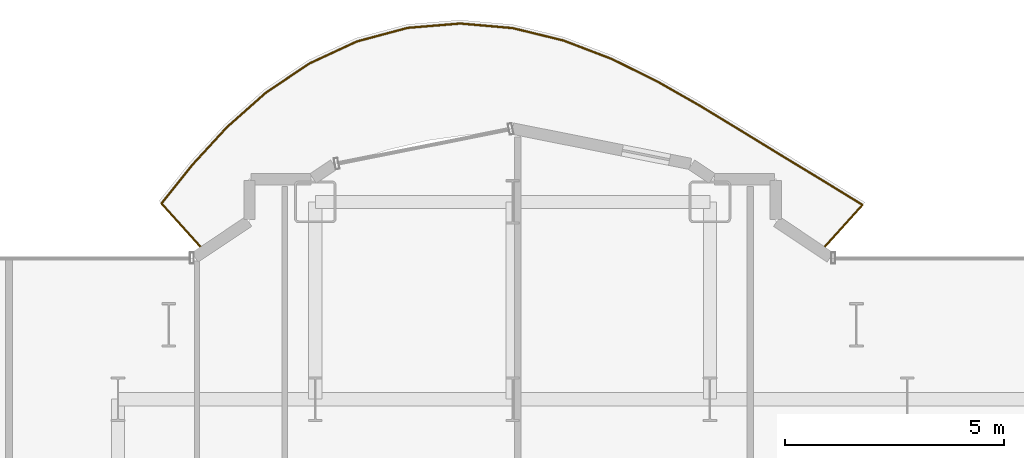
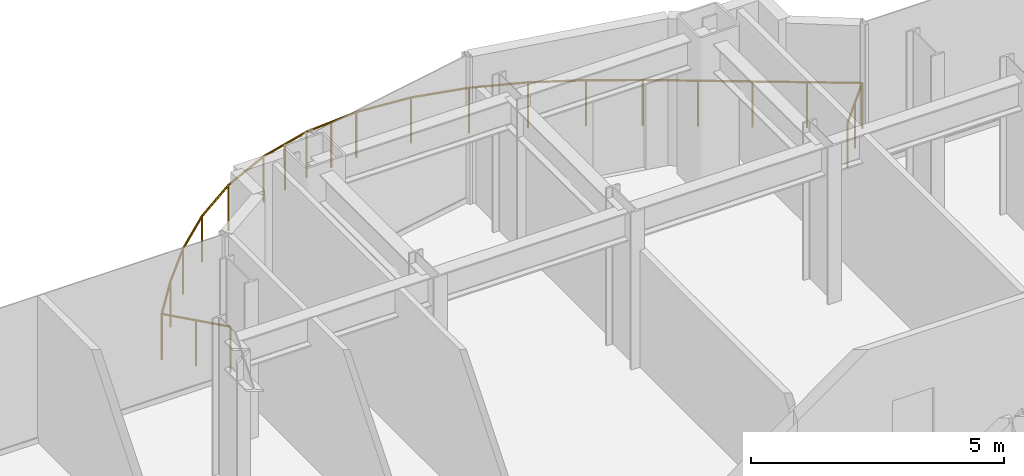
# One storey, part 28 of 28: 1 railing.
"""IFC4 building model written with IfcOpenShell, lengths in metres."""

from ifc_helpers import new_model, si_unit, direction, frame, origin, origin_2d, place, context, subcontext, project, spatial, circle, extrude, material, type_object, element, save


model = new_model("IFC4")

# Units and contexts
model_context = context("Model", 3, precision=1e-05, world=origin(), true_north=direction((0.0, 1.0)))
body_context = subcontext(model_context, "Body", "Model", "MODEL_VIEW")
ifc_project = project(units=[si_unit("LENGTHUNIT", "METRE"), si_unit("AREAUNIT", "SQUARE_METRE"), si_unit("VOLUMEUNIT", "CUBIC_METRE"), si_unit("PLANEANGLEUNIT", "RADIAN"), si_unit("MASSUNIT", "GRAM", prefix="KILO")], contexts=[model_context])

# Site, building, storey
site_placement = place(None, origin())
site = spatial("IfcSite", under=ifc_project, at=site_placement, CompositionType="ELEMENT")
building_placement = place(site_placement, origin())
building = spatial("IfcBuilding", under=site, at=building_placement, Name="Nefas-Gora Pilgrimage Tower", CompositionType="ELEMENT")
storey_placement = place(building_placement, frame((0.0, 0.0, 102.199951171875)))
storey = spatial("IfcBuildingStorey", under=building, at=storey_placement, Name="L24", CompositionType="ELEMENT", Elevation=102.199951171875)

# Railing
ifc_material = material(Name="Laminated safety glass and stainless steel", Category="steel")
railing_type = type_object("IfcRailingType", Name="RLG-BAL-1100", PredefinedType="BALUSTRADE", material=ifc_material)
railing_placement = place(storey_placement, frame((4.802490234375, 21.402587890625, 0.0)))
element("IfcRailing", 1, at=railing_placement, inside=storey, type_object=railing_type, Name="L24 Wave Balcony Balustrade N1", PredefinedType="BALUSTRADE", context=body_context, shape_type="SweptSolid", body=[
    extrude(circle(Radius=0.02392578125, at=origin_2d()), frame((0.0, 0.0, 1.09619140625), z_axis=(0.669217868333, 0.743066245165, 0.0), x_axis=(-0.743066245165, 0.669217868333, 0.0)), (0.0, 0.0, 1.0), 1.38525390625),
    extrude(circle(Radius=0.02392578125, at=origin_2d()), frame((0.927001953125, 1.029296875, 1.09619140625), z_axis=(-0.852658885571, 0.522468013238, 0.0), x_axis=(-0.522468013238, -0.852658885571, 0.0)), (0.0, 0.0, 1.0), 1.095703125),
    extrude(circle(Radius=0.02392578125, at=origin_2d()), frame((-0.00732421875, 1.601806640625, 1.09619140625), z_axis=(-0.855124780813, 0.518422230657, 0.0), x_axis=(-0.518422230657, -0.855124780813, 0.0)), (0.0, 0.0, 1.0), 1.077392578125),
    extrude(circle(Radius=0.02392578125, at=origin_2d()), frame((-0.9287109375, 2.160400390625, 1.09619140625), z_axis=(-0.852777131159, 0.522274989418, 0.0), x_axis=(-0.522274989418, -0.852777131159, 0.0)), (0.0, 0.0, 1.0), 1.076904296875),
    extrude(circle(Radius=0.02392578125, at=origin_2d()), frame((-1.84716796875, 2.722900390625, 1.09619140625), z_axis=(-0.854684994475, 0.519146954358, 0.0), x_axis=(-0.519146954358, -0.854684994475, 0.0)), (0.0, 0.0, 1.0), 1.09423828125),
    extrude(circle(Radius=0.02392578125, at=origin_2d()), frame((-2.782470703125, 3.291015625, 1.09619140625), z_axis=(-0.868857666147, 0.495061971856, 0.0), x_axis=(-0.495061971856, -0.868857666147, 0.0)), (0.0, 0.0, 1.0), 1.123291015625),
    extrude(circle(Radius=0.02392578125, at=origin_2d()), frame((-3.758544921875, 3.84716796875, 1.09619140625), z_axis=(-0.896659173932, 0.442721499142, 0.0), x_axis=(-0.442721499142, -0.896659173932, 0.0)), (0.0, 0.0, 1.0), 1.153564453125),
    extrude(circle(Radius=0.02392578125, at=origin_2d()), frame((-4.79296875, 4.35791015625, 1.09619140625), z_axis=(-0.934122957215, 0.356951398377, 0.0), x_axis=(-0.356951398377, -0.934122957215, 0.0)), (0.0, 0.0, 1.0), 1.178466796875),
    extrude(circle(Radius=0.02392578125, at=origin_2d()), frame((-5.893798828125, 4.778564453125, 1.09619140625), z_axis=(-0.97145249085, 0.237234183922, 0.0), x_axis=(-0.237234183922, -0.97145249085, 0.0)), (0.0, 0.0, 1.0), 1.192626953125),
    extrude(circle(Radius=0.02392578125, at=origin_2d()), frame((-7.052490234375, 5.0615234375, 1.09619140625), z_axis=(-0.99619460159, 0.087156845765, 0.0), x_axis=(-0.087156845765, -0.99619460159, 0.0)), (0.0, 0.0, 1.0), 1.198974609375),
    extrude(circle(Radius=0.02392578125, at=origin_2d()), frame((-8.246826171875, 5.166015625, 1.09619140625), z_axis=(-0.996586307441, -0.082557445587, 0.0), x_axis=(0.082557445587, -0.996586307441, 0.0)), (0.0, 0.0, 1.0), 1.20068359375),
    extrude(circle(Radius=0.02392578125, at=origin_2d()), frame((-9.443359375, 5.06689453125, 1.09619140625), z_axis=(-0.966180913081, -0.257865164763, 0.0), x_axis=(0.257865164763, -0.966180913081, 0.0)), (0.0, 0.0, 1.0), 1.200439453125),
    extrude(circle(Radius=0.02392578125, at=origin_2d()), frame((-10.603271484375, 4.75732421875, 1.09619140625), z_axis=(-0.907111664378, -0.420890043063, 0.0), x_axis=(0.420890043063, -0.907111664378, 0.0)), (0.0, 0.0, 1.0), 1.199462890625),
    extrude(circle(Radius=0.02392578125, at=origin_2d()), frame((-11.69140625, 4.25244140625, 1.09619140625), z_axis=(-0.829780590571, -0.558089752201, 0.0), x_axis=(0.558089752201, -0.829780590571, 0.0)), (0.0, 0.0, 1.0), 1.195068359375),
    extrude(circle(Radius=0.02392578125, at=origin_2d()), frame((-12.68310546875, 3.58544921875, 1.09619140625), z_axis=(-0.748330645695, -0.663325896308, 0.0), x_axis=(0.663325896308, -0.748330645695, 0.0)), (0.0, 0.0, 1.0), 1.183349609375),
    extrude(circle(Radius=0.02392578125, at=origin_2d()), frame((-13.568603515625, 2.800537109375, 1.09619140625), z_axis=(-0.676400344051, -0.736534163883, 0.0), x_axis=(0.736534163883, -0.676400344051, 0.0)), (0.0, 0.0, 1.0), 1.1611328125),
    extrude(circle(Radius=0.02392578125, at=origin_2d()), frame((-14.35400390625, 1.9453125, 1.09619140625), z_axis=(-0.624326656169, -0.781163380092, 0.0), x_axis=(0.781163380092, -0.624326656169, 0.0)), (0.0, 0.0, 1.0), 1.131591796875),
    extrude(circle(Radius=0.02392578125, at=origin_2d()), frame((-15.060546875, 1.061279296875, 1.09619140625), z_axis=(0.669125283262, -0.743149618381, 0.0), x_axis=(0.743149618381, 0.669125283262, 0.0)), (0.0, 0.0, 1.0), 1.427978515625),
    extrude(circle(Radius=0.02099609375, at=origin_2d()), origin(), (0.0, 0.0, 1.0), 1.072021484375),
    extrude(circle(Radius=0.02099609375, at=origin_2d()), frame((0.46337890625, 0.5146484375, 0.0)), (0.0, 0.0, 1.0), 1.072021484375),
    extrude(circle(Radius=0.02099609375, at=origin_2d()), frame((0.927001953125, 1.029296875, 0.0)), (0.0, 0.0, 1.0), 1.072021484375),
    extrude(circle(Radius=0.02099609375, at=origin_2d()), frame((-0.00732421875, 1.601806640625, 0.0)), (0.0, 0.0, 1.0), 1.072021484375),
    extrude(circle(Radius=0.02099609375, at=origin_2d()), frame((-0.9287109375, 2.160400390625, 0.0)), (0.0, 0.0, 1.0), 1.072021484375),
    extrude(circle(Radius=0.02099609375, at=origin_2d()), frame((-1.84716796875, 2.722900390625, 0.0)), (0.0, 0.0, 1.0), 1.072021484375),
    extrude(circle(Radius=0.02099609375, at=origin_2d()), frame((-2.782470703125, 3.291015625, 0.0)), (0.0, 0.0, 1.0), 1.072021484375),
    extrude(circle(Radius=0.02099609375, at=origin_2d()), frame((-3.758544921875, 3.84716796875, 0.0)), (0.0, 0.0, 1.0), 1.072021484375),
    extrude(circle(Radius=0.02099609375, at=origin_2d()), frame((-4.79296875, 4.35791015625, 0.0)), (0.0, 0.0, 1.0), 1.072021484375),
    extrude(circle(Radius=0.02099609375, at=origin_2d()), frame((-5.893798828125, 4.778564453125, 0.0)), (0.0, 0.0, 1.0), 1.072021484375),
    extrude(circle(Radius=0.02099609375, at=origin_2d()), frame((-7.052490234375, 5.0615234375, 0.0)), (0.0, 0.0, 1.0), 1.072021484375),
    extrude(circle(Radius=0.02099609375, at=origin_2d()), frame((-8.246826171875, 5.166015625, 0.0)), (0.0, 0.0, 1.0), 1.072021484375),
    extrude(circle(Radius=0.02099609375, at=origin_2d()), frame((-8.84521484375, 5.116455078125, 0.0)), (0.0, 0.0, 1.0), 1.072021484375),
    extrude(circle(Radius=0.02099609375, at=origin_2d()), frame((-9.443359375, 5.06689453125, 0.0)), (0.0, 0.0, 1.0), 1.072021484375),
    extrude(circle(Radius=0.02099609375, at=origin_2d()), frame((-10.0234375, 4.912109375, 0.0)), (0.0, 0.0, 1.0), 1.072021484375),
    extrude(circle(Radius=0.02099609375, at=origin_2d()), frame((-10.603271484375, 4.75732421875, 0.0)), (0.0, 0.0, 1.0), 1.072021484375),
    extrude(circle(Radius=0.02099609375, at=origin_2d()), frame((-11.69140625, 4.25244140625, 0.0)), (0.0, 0.0, 1.0), 1.072021484375),
    extrude(circle(Radius=0.02099609375, at=origin_2d()), frame((-12.68310546875, 3.58544921875, 0.0)), (0.0, 0.0, 1.0), 1.072021484375),
    extrude(circle(Radius=0.02099609375, at=origin_2d()), frame((-13.568603515625, 2.800537109375, 0.0)), (0.0, 0.0, 1.0), 1.072021484375),
    extrude(circle(Radius=0.02099609375, at=origin_2d()), frame((-14.35400390625, 1.9453125, 0.0)), (0.0, 0.0, 1.0), 1.072021484375),
    extrude(circle(Radius=0.02099609375, at=origin_2d()), frame((-15.060546875, 1.061279296875, 0.0)), (0.0, 0.0, 1.0), 1.072021484375),
    extrude(circle(Radius=0.02099609375, at=origin_2d()), frame((-14.582763671875, 0.53076171875, 0.0)), (0.0, 0.0, 1.0), 1.072021484375),
    extrude(circle(Radius=0.02099609375, at=origin_2d()), frame((-14.10498046875, 0.0, 0.0)), (0.0, 0.0, 1.0), 1.072021484375),
])

save(model, "model.ifc")
